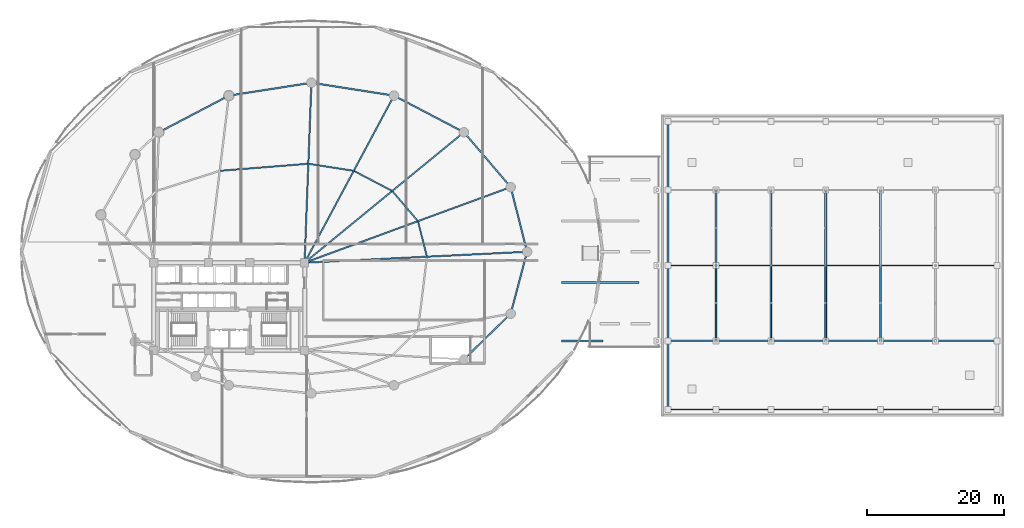
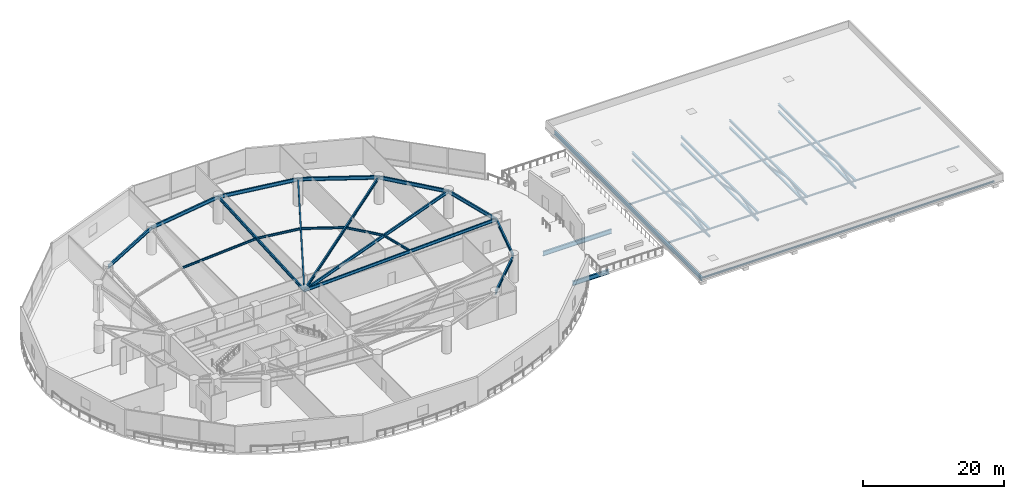
# One storey, part 9 of 26: 24 beams, 16 members.
"""IFC4 building model written with IfcOpenShell, lengths in metres."""

from ifc_helpers import new_model, si_unit, direction, frame, origin, origin_2d, place, context, subcontext, project, spatial, hollow_rectangle, i_section, extrude, material, material_profile, profile_set, type_object, element, save


model = new_model("IFC4")

# Units and contexts
model_context = context("Model", 3, precision=1e-05, world=origin(), true_north=direction((0.0, 1.0)))
body_context = subcontext(model_context, "Body", "Model", "MODEL_VIEW")
ifc_project = project(units=[si_unit("LENGTHUNIT", "METRE"), si_unit("AREAUNIT", "SQUARE_METRE"), si_unit("VOLUMEUNIT", "CUBIC_METRE"), si_unit("PLANEANGLEUNIT", "RADIAN"), si_unit("MASSUNIT", "GRAM", prefix="KILO")], contexts=[model_context])

# Site, building, storey
site_placement = place(None, origin())
site = spatial("IfcSite", under=ifc_project, at=site_placement, CompositionType="ELEMENT")
building_placement = place(site_placement, origin())
building = spatial("IfcBuilding", under=site, at=building_placement, Name="Kazevale Care Tower and Concert Hall", CompositionType="ELEMENT")
storey_placement = place(building_placement, frame((0.0, 0.0, 19.199951171875)))
storey = spatial("IfcBuildingStorey", under=building, at=storey_placement, Name="L04", CompositionType="ELEMENT", Elevation=19.199951171875)

# Beams
ifc_material = material(Name="Steel ASTM A572 Gr 50", Category="steel")
ifc_material_profile_1 = material_profile(ifc_material, i_section(OverallWidth=0.201904296875, OverallDepth=0.2470703125, WebThickness=0.00732421875, FlangeThickness=0.010986328125, at=origin_2d()), Name="W250x49")
ifc_profile_set_1 = profile_set([ifc_material_profile_1], Name="Steel ASTM A572 Gr 50")
beam_type_1 = type_object("IfcBeamType", Name="Acoustic Roof Purlin W250x49", PredefinedType="JOIST", material=ifc_profile_set_1)
for number, where, z_axis, x_axis, name in (
    (1, (97.0, 15.0, 0.87646484375), (1.0, 0.0, 0.0), (0.0, 1.0, 0.0), "beam:L04:hall_purlin:150"),
    (2, (97.0, 25.0, 0.87646484375), (1.0, 0.0, 0.0), (0.0, 1.0, 0.0), "beam:L04:hall_purlin:250"),
    (3, (97.0, 36.0, 0.87646484375), (1.0, 0.0, 0.0), (0.0, 1.0, 0.0), "beam:L04:hall_purlin:360"),
):
    element("IfcBeam", number, at=place(storey_placement, frame(where, z_axis=z_axis, x_axis=x_axis)), inside=storey, type_object=beam_type_1, Name=name, PredefinedType="JOIST", context=body_context, shape_type="SweptSolid", body=[
        extrude(i_section(OverallWidth=0.201904296875, OverallDepth=0.2470703125, WebThickness=0.00732421875, FlangeThickness=0.010986328125, at=origin_2d()), origin(), (0.0, 0.0, 1.0), 48.0),
    ])
ifc_material_profile_2 = material_profile(ifc_material, i_section(OverallWidth=0.323974609375, OverallDepth=0.611083984375, WebThickness=0.0126953125, FlangeThickness=0.01904296875, at=origin_2d()), Name="W610x155")
ifc_profile_set_2 = profile_set([ifc_material_profile_2], Name="Steel ASTM A572 Gr 50")
beam_type_2 = type_object("IfcBeamType", Name="Concert Hall Frame Girder W610x155", PredefinedType="BEAM", material=ifc_profile_set_2)
beam_1_placement = place(storey_placement, frame((97.0, 15.0, 0.695068359375), z_axis=(0.0, 1.0, 0.0), x_axis=(-1.0, 0.0, 0.0)))
element("IfcBeam", 4, at=beam_1_placement, inside=storey, type_object=beam_type_2, Name="beam:L04:hall_edge:97", PredefinedType="BEAM", context=body_context, shape_type="SweptSolid", body=[
    extrude(i_section(OverallWidth=0.323974609375, OverallDepth=0.611083984375, WebThickness=0.0126953125, FlangeThickness=0.01904296875, at=origin_2d()), origin(), (0.0, 0.0, 1.0), 42.0),
])

# Members
ifc_material_profile_3 = material_profile(ifc_material, i_section(OverallWidth=0.304931640625, OverallDepth=0.30810546875, WebThickness=0.010009765625, FlangeThickness=0.015380859375, at=origin_2d()), Name="W310x97")
ifc_profile_set_3 = profile_set([ifc_material_profile_3], Name="Steel ASTM A572 Gr 50")
member_type_1 = type_object("IfcMemberType", Name="Concert Hall Truss Bot Chord W310x97", PredefinedType="CHORD", material=ifc_profile_set_3)
for number, where, z_axis, x_axis, name in (
    (5, (104.0, 25.0, -0.449951171875), (0.0, 1.0, 0.0), (-1.0, 0.0, 0.0), "truss:L04:CT1:bot"),
    (6, (112.0, 25.0, -0.449951171875), (0.0, 1.0, 0.0), (-1.0, 0.0, 0.0), "truss:L04:CT2:bot"),
    (7, (120.0, 25.0, -0.449951171875), (0.0, 1.0, 0.0), (-1.0, 0.0, 0.0), "truss:L04:CT3:bot"),
    (8, (128.0, 25.0, -0.449951171875), (0.0, 1.0, 0.0), (-1.0, 0.0, 0.0), "truss:L04:CT4:bot"),
):
    element("IfcMember", number, at=place(storey_placement, frame(where, z_axis=z_axis, x_axis=x_axis)), inside=storey, type_object=member_type_1, Name=name, PredefinedType="CHORD", context=body_context, shape_type="SweptSolid", body=[
        extrude(i_section(OverallWidth=0.304931640625, OverallDepth=0.30810546875, WebThickness=0.010009765625, FlangeThickness=0.015380859375, at=origin_2d()), origin(), (0.0, 0.0, 1.0), 22.0),
    ])
ifc_material_profile_4 = material_profile(ifc_material, i_section(OverallWidth=0.257080078125, OverallDepth=0.363037109375, WebThickness=0.012939453125, FlangeThickness=0.021728515625, at=origin_2d()), Name="W360x122")
ifc_profile_set_4 = profile_set([ifc_material_profile_4], Name="Steel ASTM A572 Gr 50")
member_type_2 = type_object("IfcMemberType", Name="Concert Hall Truss Top Chord W360x122", PredefinedType="CHORD", material=ifc_profile_set_4)
for number, where, z_axis, x_axis, name in (
    (9, (104.0, 25.0, 0.818603515625), (0.0, 1.0, 0.0), (-1.0, 0.0, 0.0), "truss:L04:CT1:top"),
    (10, (112.0, 25.0, 0.818603515625), (0.0, 1.0, 0.0), (-1.0, 0.0, 0.0), "truss:L04:CT2:top"),
    (11, (120.0, 25.0, 0.818603515625), (0.0, 1.0, 0.0), (-1.0, 0.0, 0.0), "truss:L04:CT3:top"),
    (12, (128.0, 25.0, 0.818603515625), (0.0, 1.0, 0.0), (-1.0, 0.0, 0.0), "truss:L04:CT4:top"),
):
    element("IfcMember", number, at=place(storey_placement, frame(where, z_axis=z_axis, x_axis=x_axis)), inside=storey, type_object=member_type_2, Name=name, PredefinedType="CHORD", context=body_context, shape_type="SweptSolid", body=[
        extrude(i_section(OverallWidth=0.257080078125, OverallDepth=0.363037109375, WebThickness=0.012939453125, FlangeThickness=0.021728515625, at=origin_2d()), origin(), (0.0, 0.0, 1.0), 22.0),
    ])
ifc_material_profile_5 = material_profile(ifc_material, hollow_rectangle(XDim=0.199951171875, YDim=0.199951171875, WallThickness=0.012451171875, at=origin_2d()), Name="SHS200x200x12.5")
ifc_profile_set_5 = profile_set([ifc_material_profile_5], Name="Steel ASTM A572 Gr 50")
member_type_3 = type_object("IfcMemberType", Name="Concert Hall Truss Web SHS200x200x12.5", PredefinedType="BRACE", material=ifc_profile_set_5)
for number, where, z_axis, x_axis, name in (
    (13, (104.0, 25.0, -0.449951171875), (0.0, 0.974417432824, 0.22474578218), (-1.0, 0.0, 0.0), "truss:L04:CT1:web1"),
    (14, (104.0, 30.5, 0.818603515625), (0.0, 0.974417432824, -0.22474578218), (-1.0, 0.0, 0.0), "truss:L04:CT1:web2"),
    (15, (112.0, 25.0, -0.449951171875), (0.0, 0.974417432824, 0.22474578218), (-1.0, 0.0, 0.0), "truss:L04:CT2:web1"),
    (16, (112.0, 30.5, 0.818603515625), (0.0, 0.974417432824, -0.22474578218), (-1.0, 0.0, 0.0), "truss:L04:CT2:web2"),
    (17, (120.0, 25.0, -0.449951171875), (0.0, 0.974417432824, 0.22474578218), (-1.0, 0.0, 0.0), "truss:L04:CT3:web1"),
    (18, (120.0, 30.5, 0.818603515625), (0.0, 0.974417432824, -0.22474578218), (-1.0, 0.0, 0.0), "truss:L04:CT3:web2"),
    (19, (128.0, 25.0, -0.449951171875), (0.0, 0.974417432824, 0.22474578218), (-1.0, 0.0, 0.0), "truss:L04:CT4:web1"),
    (20, (128.0, 30.5, 0.818603515625), (0.0, 0.974417432824, -0.22474578218), (-1.0, 0.0, 0.0), "truss:L04:CT4:web2"),
):
    element("IfcMember", number, at=place(storey_placement, frame(where, z_axis=z_axis, x_axis=x_axis)), inside=storey, type_object=member_type_3, Name=name, PredefinedType="BRACE", context=body_context, shape_type="SweptSolid", body=[
        extrude(hollow_rectangle(XDim=0.199951171875, YDim=0.199951171875, WallThickness=0.012451171875, at=origin_2d()), origin(), (0.0, 0.0, 1.0), 5.644287109375),
    ])

# Beams
ifc_material_profile_6 = material_profile(ifc_material, i_section(OverallWidth=0.26806640625, OverallDepth=0.77001953125, WebThickness=0.015625, FlangeThickness=0.025390625, at=origin_2d()), Name="W760x196")
ifc_profile_set_6 = profile_set([ifc_material_profile_6], Name="Steel ASTM A572 Gr 50")
beam_type_3 = type_object("IfcBeamType", Name="Podium Primary Girder W760x196", PredefinedType="BEAM", material=ifc_profile_set_6)
beam_2_placement = place(storey_placement, frame((81.5, 25.0, -0.704833984375), z_axis=(1.0, 0.0, 0.0), x_axis=(0.0, 1.0, 0.0)))
element("IfcBeam", 21, at=beam_2_placement, inside=storey, type_object=beam_type_3, Name="beam:L04:gbridge:1", PredefinedType="BEAM", context=body_context, shape_type="SweptSolid", body=[
    extrude(i_section(OverallWidth=0.26806640625, OverallDepth=0.77001953125, WebThickness=0.015625, FlangeThickness=0.025390625, at=origin_2d()), origin(), (0.0, 0.0, 1.0), 6.0),
])
beam_3_placement = place(storey_placement, frame((81.5, 33.5, -0.704833984375), z_axis=(1.0, 0.0, 0.0), x_axis=(0.0, 1.0, 0.0)))
element("IfcBeam", 22, at=beam_3_placement, inside=storey, type_object=beam_type_3, Name="beam:L04:gbridge:2", PredefinedType="BEAM", context=body_context, shape_type="SweptSolid", body=[
    extrude(i_section(OverallWidth=0.26806640625, OverallDepth=0.77001953125, WebThickness=0.015625, FlangeThickness=0.025390625, at=origin_2d()), origin(), (0.0, 0.0, 1.0), 11.300048828125),
])
ifc_material_profile_7 = material_profile(ifc_material, i_section(OverallWidth=0.2119140625, OverallDepth=0.5439453125, WebThickness=0.01318359375, FlangeThickness=0.021240234375, at=origin_2d()), Name="W530x123")
ifc_profile_set_7 = profile_set([ifc_material_profile_7], Name="Steel ASTM A572 Gr 50")
beam_type_4 = type_object("IfcBeamType", Name="Radial Floor Girder W530x123", PredefinedType="BEAM", material=ifc_profile_set_7)
beam_4_placement = place(storey_placement, frame((44.0, 36.39990234375, 4.2880859375), z_axis=(0.998786488782, 0.049249871327, 0.0), x_axis=(-0.049249871327, 0.998786488782, 0.0)))
element("IfcBeam", 23, at=beam_4_placement, inside=storey, type_object=beam_type_4, Name="beam:L04:rad:01", PredefinedType="BEAM", context=body_context, shape_type="SweptSolid", body=[
    extrude(i_section(OverallWidth=0.2119140625, OverallDepth=0.5439453125, WebThickness=0.01318359375, FlangeThickness=0.021240234375, at=origin_2d()), origin(), (0.0, 0.0, 1.0), 32.4892578125),
])
beam_5_placement = place(storey_placement, frame((44.0, 36.39990234375, 4.2880859375), z_axis=(0.938795458019, 0.34447509054, 0.0), x_axis=(-0.34447509054, 0.938795458019, 0.0)))
element("IfcBeam", 24, at=beam_5_placement, inside=storey, type_object=beam_type_4, Name="beam:L04:rad:02", PredefinedType="BEAM", context=body_context, shape_type="SweptSolid", body=[
    extrude(i_section(OverallWidth=0.2119140625, OverallDepth=0.5439453125, WebThickness=0.01318359375, FlangeThickness=0.021240234375, at=origin_2d()), origin(), (0.0, 0.0, 1.0), 32.019775390625),
])
beam_6_placement = place(storey_placement, frame((44.0, 36.39990234375, 4.2880859375), z_axis=(0.773704467398, 0.633546681097, 0.0), x_axis=(-0.633546681097, 0.773704467398, 0.0)))
element("IfcBeam", 25, at=beam_6_placement, inside=storey, type_object=beam_type_4, Name="beam:L04:rad:03", PredefinedType="BEAM", context=body_context, shape_type="SweptSolid", body=[
    extrude(i_section(OverallWidth=0.2119140625, OverallDepth=0.5439453125, WebThickness=0.01318359375, FlangeThickness=0.021240234375, at=origin_2d()), origin(), (0.0, 0.0, 1.0), 30.037353515625),
])
beam_7_placement = place(storey_placement, frame((44.0, 36.39990234375, 4.2880859375), z_axis=(0.471788966953, 0.88171150081, 0.0), x_axis=(-0.88171150081, 0.471788966953, 0.0)))
element("IfcBeam", 26, at=beam_7_placement, inside=storey, type_object=beam_type_4, Name="beam:L04:rad:04", PredefinedType="BEAM", context=body_context, shape_type="SweptSolid", body=[
    extrude(i_section(OverallWidth=0.2119140625, OverallDepth=0.5439453125, WebThickness=0.01318359375, FlangeThickness=0.021240234375, at=origin_2d()), origin(), (0.0, 0.0, 1.0), 27.6396484375),
])
beam_8_placement = place(storey_placement, frame((44.0, 36.39990234375, 4.2880859375), z_axis=(0.038067625343, 0.999275165258, 0.0), x_axis=(-0.999275165258, 0.038067625343, 0.0)))
element("IfcBeam", 27, at=beam_8_placement, inside=storey, type_object=beam_type_4, Name="beam:L04:rad:05", PredefinedType="BEAM", context=body_context, shape_type="SweptSolid", body=[
    extrude(i_section(OverallWidth=0.2119140625, OverallDepth=0.5439453125, WebThickness=0.01318359375, FlangeThickness=0.021240234375, at=origin_2d()), origin(), (0.0, 0.0, 1.0), 26.26904296875),
])
ifc_material_profile_8 = material_profile(ifc_material, i_section(OverallWidth=0.22900390625, OverallDepth=0.612060546875, WebThickness=0.011962890625, FlangeThickness=0.01953125, at=origin_2d()), Name="W610x125")
ifc_profile_set_8 = profile_set([ifc_material_profile_8], Name="Steel ASTM A572 Gr 50")
beam_type_5 = type_object("IfcBeamType", Name="Ring Spandrel Beam W610x125", PredefinedType="SPANDREL", material=ifc_profile_set_8)
beam_9_placement = place(storey_placement, frame((76.449951171875, 38.0, 4.254150390625), z_axis=(-0.245669948409, 0.969353535326, 0.0), x_axis=(-0.969353535326, -0.245669948409, 0.0)))
element("IfcBeam", 28, at=beam_9_placement, inside=storey, type_object=beam_type_5, Name="beam:L04:ring:01", PredefinedType="SPANDREL", context=body_context, shape_type="SweptSolid", body=[
    extrude(i_section(OverallWidth=0.22900390625, OverallDepth=0.612060546875, WebThickness=0.011962890625, FlangeThickness=0.01953125, at=origin_2d()), origin(), (0.0, 0.0, 1.0), 9.72802734375),
])
beam_10_placement = place(storey_placement, frame((74.06005859375, 47.429931640625, 4.254150390625), z_axis=(-0.648756004283, 0.760996482848, 0.0), x_axis=(-0.760996482848, -0.648756004283, 0.0)))
element("IfcBeam", 29, at=beam_10_placement, inside=storey, type_object=beam_type_5, Name="beam:L04:ring:02", PredefinedType="SPANDREL", context=body_context, shape_type="SweptSolid", body=[
    extrude(i_section(OverallWidth=0.22900390625, OverallDepth=0.612060546875, WebThickness=0.011962890625, FlangeThickness=0.01953125, at=origin_2d()), origin(), (0.0, 0.0, 1.0), 10.512451171875),
])
beam_11_placement = place(storey_placement, frame((67.239990234375, 55.429931640625, 4.254150390625), z_axis=(-0.885929466679, 0.463819986708, 0.0), x_axis=(-0.463819986708, -0.885929466679, 0.0)))
element("IfcBeam", 30, at=beam_11_placement, inside=storey, type_object=beam_type_5, Name="beam:L04:ring:03", PredefinedType="SPANDREL", context=body_context, shape_type="SweptSolid", body=[
    extrude(i_section(OverallWidth=0.22900390625, OverallDepth=0.612060546875, WebThickness=0.011962890625, FlangeThickness=0.01953125, at=origin_2d()), origin(), (0.0, 0.0, 1.0), 11.51318359375),
])
for number, where, z_axis, x_axis, name in (
    (31, (57.0400390625, 60.77001953125, 4.254150390625), (-0.988029216561, 0.154266870134, 0.0), (-0.154266870134, -0.988029216561, 0.0), "beam:L04:ring:04"),
    (32, (45.0, 62.64990234375, 4.254150390625), (-0.988029216561, -0.154266870134, 0.0), (0.154266870134, -0.988029216561, 0.0), "beam:L04:ring:05"),
):
    element("IfcBeam", number, at=place(storey_placement, frame(where, z_axis=z_axis, x_axis=x_axis)), inside=storey, type_object=beam_type_5, Name=name, PredefinedType="SPANDREL", context=body_context, shape_type="SweptSolid", body=[
        extrude(i_section(OverallWidth=0.22900390625, OverallDepth=0.612060546875, WebThickness=0.011962890625, FlangeThickness=0.01953125, at=origin_2d()), origin(), (0.0, 0.0, 1.0), 12.18603515625),
    ])
beam_12_placement = place(storey_placement, frame((32.9599609375, 60.77001953125, 4.254150390625), z_axis=(-0.885929466679, -0.463819986708, 0.0), x_axis=(0.463819986708, -0.885929466679, 0.0)))
element("IfcBeam", 33, at=beam_12_placement, inside=storey, type_object=beam_type_5, Name="beam:L04:ring:06", PredefinedType="SPANDREL", context=body_context, shape_type="SweptSolid", body=[
    extrude(i_section(OverallWidth=0.22900390625, OverallDepth=0.612060546875, WebThickness=0.011962890625, FlangeThickness=0.01953125, at=origin_2d()), origin(), (0.0, 0.0, 1.0), 11.51318359375),
])
beam_13_placement = place(storey_placement, frame((67.239990234375, 22.31005859375, 4.254150390625), z_axis=(0.715457453508, 0.698656304788, 0.0), x_axis=(-0.698656304788, 0.715457453508, 0.0)))
element("IfcBeam", 34, at=beam_13_placement, inside=storey, type_object=beam_type_5, Name="beam:L04:ring:15", PredefinedType="SPANDREL", context=body_context, shape_type="SweptSolid", body=[
    extrude(i_section(OverallWidth=0.22900390625, OverallDepth=0.612060546875, WebThickness=0.011962890625, FlangeThickness=0.01953125, at=origin_2d()), origin(), (0.0, 0.0, 1.0), 9.532470703125),
])
beam_14_placement = place(storey_placement, frame((74.06005859375, 28.969970703125, 4.254150390625), z_axis=(0.255851611973, 0.966716066201, 0.0), x_axis=(-0.966716066201, 0.255851611973, 0.0)))
element("IfcBeam", 35, at=beam_14_placement, inside=storey, type_object=beam_type_5, Name="beam:L04:ring:16", PredefinedType="SPANDREL", context=body_context, shape_type="SweptSolid", body=[
    extrude(i_section(OverallWidth=0.22900390625, OverallDepth=0.612060546875, WebThickness=0.011962890625, FlangeThickness=0.01953125, at=origin_2d()), origin(), (0.0, 0.0, 1.0), 9.3408203125),
])
ifc_material_profile_9 = material_profile(ifc_material, i_section(OverallWidth=0.205078125, OverallDepth=0.35400390625, WebThickness=0.009521484375, FlangeThickness=0.016845703125, at=origin_2d()), Name="W360x79")
ifc_profile_set_9 = profile_set([ifc_material_profile_9], Name="Steel ASTM A572 Gr 50")
beam_type_6 = type_object("IfcBeamType", Name="Secondary Floor Joist W360x79", PredefinedType="JOIST", material=ifc_profile_set_9)
beam_15_placement = place(storey_placement, frame((61.822021484375, 37.382080078125, 4.383056640625), z_axis=(-0.24568570229, 0.969349542575, 0.0), x_axis=(-0.969349542575, -0.24568570229, 0.0)))
element("IfcBeam", 36, at=beam_15_placement, inside=storey, type_object=beam_type_6, Name="beam:L04:joist:01", PredefinedType="JOIST", context=body_context, shape_type="SweptSolid", body=[
    extrude(i_section(OverallWidth=0.205078125, OverallDepth=0.35400390625, WebThickness=0.009521484375, FlangeThickness=0.016845703125, at=origin_2d()), origin(), (0.0, 0.0, 1.0), 5.140380859375),
])
beam_16_placement = place(storey_placement, frame((60.465087890625, 42.5458984375, 4.383056640625), z_axis=(-0.648685510477, 0.761056573783, 0.0), x_axis=(-0.761056573783, -0.648685510477, 0.0)))
element("IfcBeam", 37, at=beam_16_placement, inside=storey, type_object=beam_type_6, Name="beam:L04:joist:02", PredefinedType="JOIST", context=body_context, shape_type="SweptSolid", body=[
    extrude(i_section(OverallWidth=0.205078125, OverallDepth=0.35400390625, WebThickness=0.009521484375, FlangeThickness=0.016845703125, at=origin_2d()), origin(), (0.0, 0.0, 1.0), 5.57275390625),
])
beam_17_placement = place(storey_placement, frame((56.68896484375, 46.9150390625, 4.383056640625), z_axis=(-0.885921274797, 0.463835633454, 0.0), x_axis=(-0.463835633454, -0.885921274797, 0.0)))
element("IfcBeam", 38, at=beam_17_placement, inside=storey, type_object=beam_type_6, Name="beam:L04:joist:03", PredefinedType="JOIST", context=body_context, shape_type="SweptSolid", body=[
    extrude(i_section(OverallWidth=0.205078125, OverallDepth=0.35400390625, WebThickness=0.009521484375, FlangeThickness=0.016845703125, at=origin_2d()), origin(), (0.0, 0.0, 1.0), 6.12255859375),
])
beam_18_placement = place(storey_placement, frame((51.068115234375, 49.820068359375, 4.383056640625), z_axis=(-0.988040697826, 0.154193318403, 0.0), x_axis=(-0.154193318403, -0.988040697826, 0.0)))
element("IfcBeam", 39, at=beam_18_placement, inside=storey, type_object=beam_type_6, Name="beam:L04:joist:04", PredefinedType="JOIST", context=body_context, shape_type="SweptSolid", body=[
    extrude(i_section(OverallWidth=0.205078125, OverallDepth=0.35400390625, WebThickness=0.009521484375, FlangeThickness=0.016845703125, at=origin_2d()), origin(), (0.0, 0.0, 1.0), 6.49169921875),
])
beam_19_placement = place(storey_placement, frame((44.445068359375, 50.8291015625, 4.383056640625), z_axis=(-0.996814548036, -0.079754353015, 0.0), x_axis=(0.079754353015, -0.996814548036, 0.0)))
element("IfcBeam", 40, at=beam_19_placement, inside=storey, type_object=beam_type_6, Name="beam:L04:joist:05", PredefinedType="JOIST", context=body_context, shape_type="SweptSolid", body=[
    extrude(i_section(OverallWidth=0.205078125, OverallDepth=0.35400390625, WebThickness=0.009521484375, FlangeThickness=0.016845703125, at=origin_2d()), origin(), (0.0, 0.0, 1.0), 12.752685546875),
])

save(model, "model.ifc")
